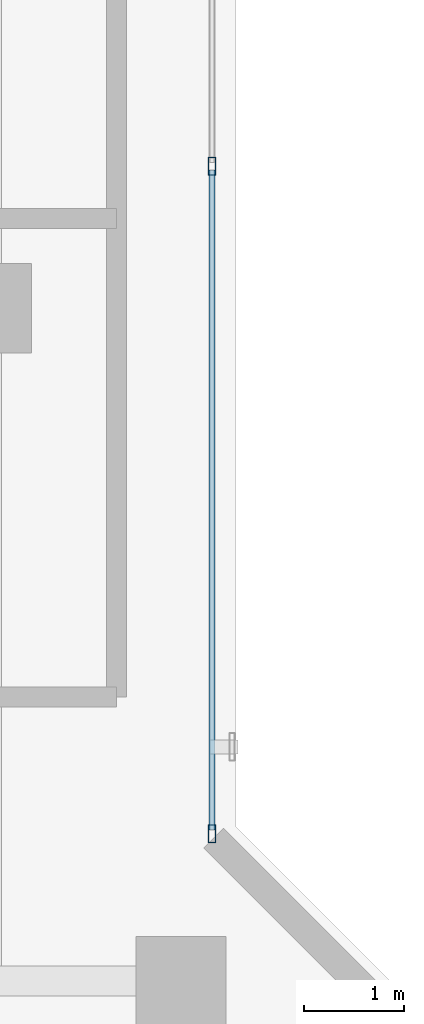
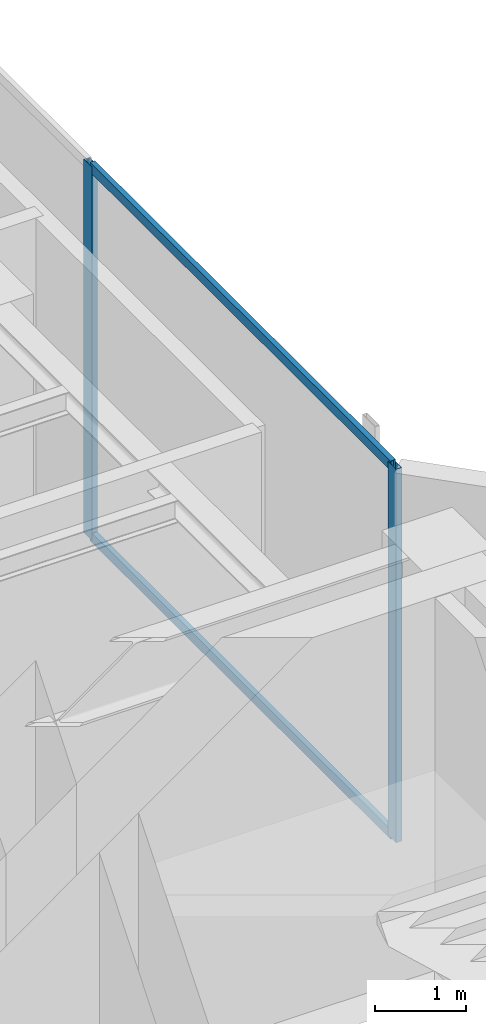
# One storey, part 14 of 29: 4 members, 1 element without a shape of its own.
"""IFC4 building model written with IfcOpenShell, lengths in metres."""

from ifc_helpers import new_model, si_unit, direction, frame, origin, origin_with_axes, origin_2d, place, context, subcontext, project, spatial, hollow_rectangle, extrude, source, transform, mapped, material, layer, layer_set, material_profile, profile_set, type_object, element, aggregate, save


model = new_model("IFC4")

# Units and contexts
model_context = context("Model", 3, precision=1e-05, world=origin(), true_north=direction((0.0, 1.0)))
body_context = subcontext(model_context, "Body", "Model", "MODEL_VIEW")
ifc_project = project(units=[si_unit("LENGTHUNIT", "METRE"), si_unit("AREAUNIT", "SQUARE_METRE"), si_unit("VOLUMEUNIT", "CUBIC_METRE"), si_unit("PLANEANGLEUNIT", "RADIAN"), si_unit("MASSUNIT", "GRAM", prefix="KILO")], contexts=[model_context])

# Site, building, storey
site_placement = place(None, origin())
site = spatial("IfcSite", under=ifc_project, at=site_placement, CompositionType="ELEMENT")
building_placement = place(site_placement, origin())
building = spatial("IfcBuilding", under=site, at=building_placement, Name="Kolvaren Waterfront Exchange", CompositionType="ELEMENT")
storey_placement = place(building_placement, frame((0.0, 0.0, 338.800048828125)))
storey = spatial("IfcBuildingStorey", under=building, at=storey_placement, Name="L87", CompositionType="ELEMENT", Elevation=338.800048828125)

# Curtain wall, members
ifc_material_1 = material(Name="Anodised dark bronze spandrel aluminium", Category="aluminium")
ifc_layer = layer(ifc_material_1, 0.219970703125, Name="Anodised dark bronze spandrel aluminium")
ifc_layer_set = layer_set([ifc_layer], Name="Anodised dark bronze spandrel aluminium")
curtain_wall_type = type_object("IfcCurtainWallType", Name="ARC-CW-SYS6", PredefinedType="USERDEFINED", material=ifc_layer_set)
curtain_wall_placement = place(storey_placement, origin())
curtain_wall = element("IfcCurtainWall", 1, at=curtain_wall_placement, inside=storey, type_object=curtain_wall_type, Name="L87 stick curtain wall CW6 (CW-L87-NE)", ObjectType="STICK CURTAIN WALL", PredefinedType="USERDEFINED")
ifc_material_2 = material(Name="Anodised bronze aluminium 6063-T6", Category="aluminium")
ifc_material_profile_1 = material_profile(ifc_material_2, hollow_rectangle(XDim=0.074951171875, YDim=0.179931640625, WallThickness=0.00439453125, at=origin_2d()), Name="ALU-MUL-180x75x4.5")
ifc_profile_set_1 = profile_set([ifc_material_profile_1], Name="Anodised bronze aluminium 6063-T6")
member_type_1 = type_object("IfcMemberType", Name="ARC-CWM-180", PredefinedType="MULLION", material=ifc_profile_set_1)
shared_shape_1 = source(origin_with_axes(), body_context, "Body", "SweptSolid", [
    extrude(hollow_rectangle(XDim=0.074951171875, YDim=0.179931640625, WallThickness=0.00439453125, at=origin_2d()), origin(), (0.0, 0.0, 1.0), 5.02001953125),
])
member_1_placement = place(storey_placement, frame((21.06005859375, 25.927490234375, 0.0), z_axis=(0.0, 0.0, 1.0), x_axis=(-1.0, 0.0, 0.0)))
member_1 = element("IfcMember", 2, at=member_1_placement, type_object=member_type_1, Name="CW6 mullion 1", PredefinedType="MULLION", context=body_context, shape_type="MappedRepresentation", body=[
    mapped(shared_shape_1, transform((0.0, 0.0, 0.0), x_axis=(1.0, 0.0, 0.0), y_axis=(0.0, 1.0, 0.0), z_axis=(0.0, 0.0, 1.0), scale=1.0)),
])
member_2_placement = place(storey_placement, frame((21.06005859375, 32.626708984375, 0.0), z_axis=(0.0, 0.0, 1.0), x_axis=(-1.0, 0.0, 0.0)))
member_2 = element("IfcMember", 3, at=member_2_placement, type_object=member_type_1, Name="CW6 mullion 2", PredefinedType="MULLION", context=body_context, shape_type="MappedRepresentation", body=[
    mapped(shared_shape_1, transform((0.0, 0.0, 0.0), x_axis=(1.0, 0.0, 0.0), y_axis=(0.0, 1.0, 0.0), z_axis=(0.0, 0.0, 1.0), scale=1.0)),
])
ifc_material_profile_2 = material_profile(ifc_material_2, hollow_rectangle(XDim=0.06494140625, YDim=0.1298828125, WallThickness=0.00390625, at=origin_2d()), Name="ALU-TRN-130x65x4")
ifc_profile_set_2 = profile_set([ifc_material_profile_2], Name="Anodised bronze aluminium 6063-T6")
member_type_2 = type_object("IfcMemberType", Name="ARC-CWT-130", PredefinedType="USERDEFINED", material=ifc_profile_set_2)
shared_shape_2 = source(origin_with_axes(), body_context, "Body", "SweptSolid", [
    extrude(hollow_rectangle(XDim=0.06494140625, YDim=0.1298828125, WallThickness=0.00390625, at=origin_2d()), origin(), (0.0, 0.0, 1.0), 6.6240234375),
])
member_3_placement = place(storey_placement, frame((21.06005859375, 25.965087890625, 0.032470703125), z_axis=(0.0, 1.0, 0.0), x_axis=(-1.0, 0.0, 0.0)))
member_3 = element("IfcMember", 4, at=member_3_placement, type_object=member_type_2, Name="CW6 transom 1.1", ObjectType="TRANSOM", PredefinedType="USERDEFINED", context=body_context, shape_type="MappedRepresentation", body=[
    mapped(shared_shape_2, transform((0.0, 0.0, 0.0), x_axis=(1.0, 0.0, 0.0), y_axis=(0.0, 1.0, 0.0), z_axis=(0.0, 0.0, 1.0), scale=1.0)),
])
member_4_placement = place(storey_placement, frame((21.06005859375, 25.965087890625, 4.987548828125), z_axis=(0.0, 1.0, 0.0), x_axis=(-1.0, 0.0, 0.0)))
member_4 = element("IfcMember", 5, at=member_4_placement, type_object=member_type_2, Name="CW6 transom 1.2", ObjectType="TRANSOM", PredefinedType="USERDEFINED", context=body_context, shape_type="MappedRepresentation", body=[
    mapped(shared_shape_2, transform((0.0, 0.0, 0.0), x_axis=(1.0, 0.0, 0.0), y_axis=(0.0, 1.0, 0.0), z_axis=(0.0, 0.0, 1.0), scale=1.0)),
])
aggregate(curtain_wall, [member_1, member_2, member_3, member_4])

save(model, "model.ifc")
